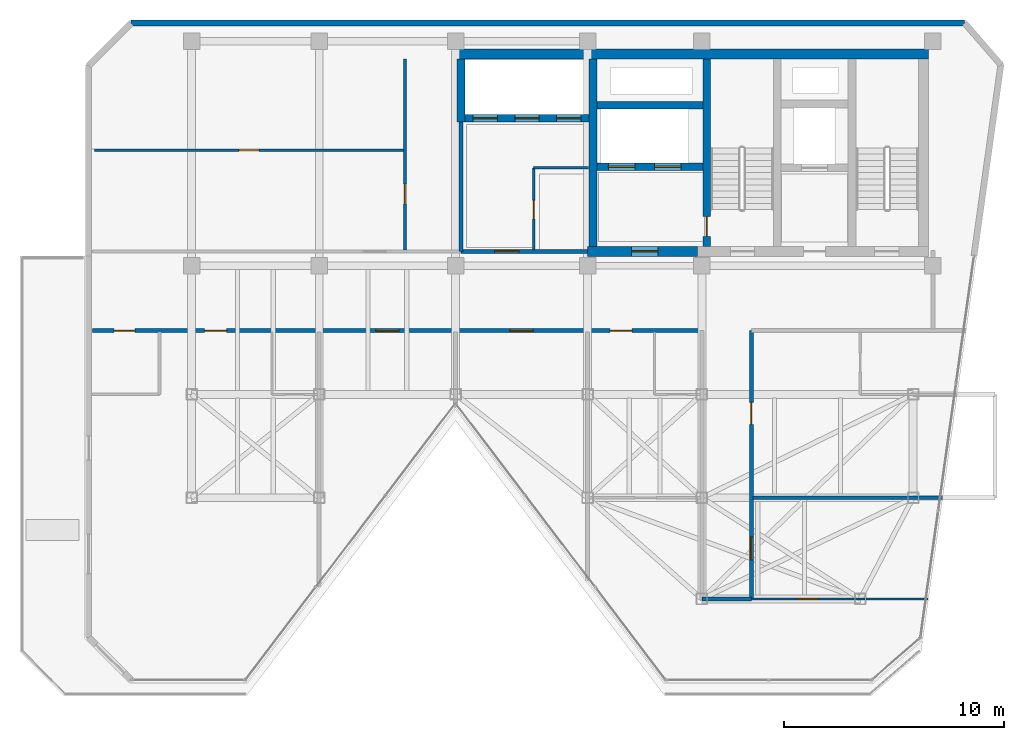
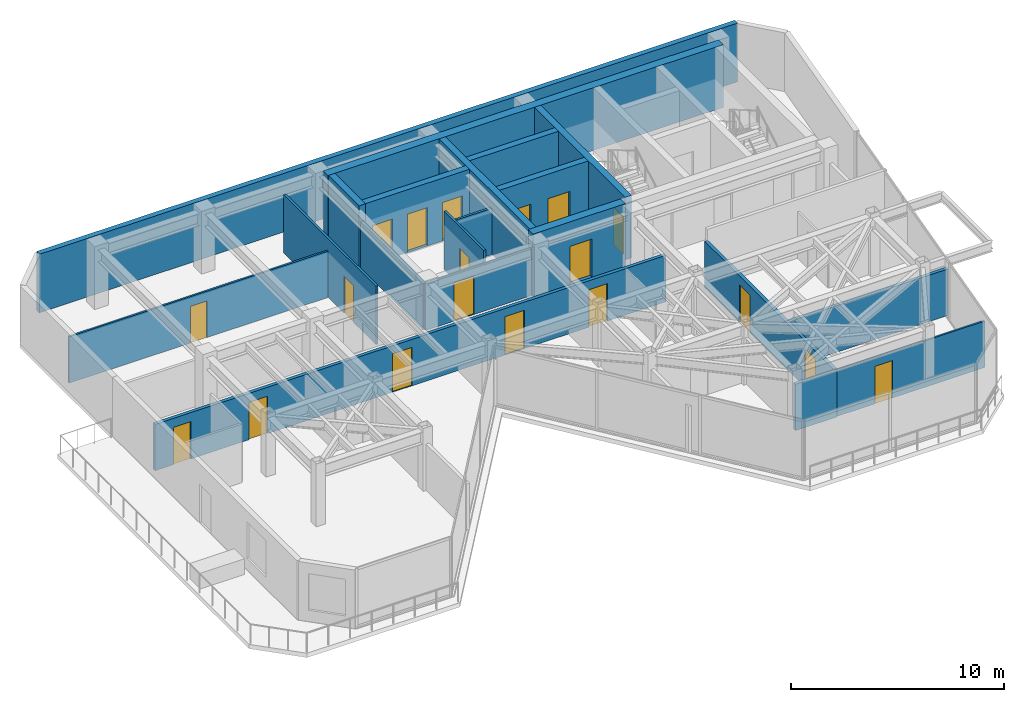
# One storey, part 14 of 17: 20 walls, 19 doors, 19 openings.
"""IFC4 building model written with IfcOpenShell, lengths in metres."""

from ifc_helpers import new_model, si_unit, direction, frame, frame_2d, origin, place, context, subcontext, project, spatial, rectangle, extrude, material, layer, layer_set, type_object, element, fill, save


model = new_model("IFC4")

# Units and contexts
model_context = context("Model", 3, precision=1e-05, world=origin(), true_north=direction((0.0, 1.0)))
body_context = subcontext(model_context, "Body", "Model", "MODEL_VIEW")
ifc_project = project(units=[si_unit("LENGTHUNIT", "METRE"), si_unit("AREAUNIT", "SQUARE_METRE"), si_unit("VOLUMEUNIT", "CUBIC_METRE"), si_unit("PLANEANGLEUNIT", "RADIAN"), si_unit("MASSUNIT", "GRAM", prefix="KILO")], contexts=[model_context])

# Site, building, storey
site_placement = place(None, origin())
site = spatial("IfcSite", under=ifc_project, at=site_placement, CompositionType="ELEMENT")
building_placement = place(site_placement, origin())
building = spatial("IfcBuilding", under=site, at=building_placement, Name="Kravanh Interchange Tower", CompositionType="ELEMENT")
storey_placement = place(building_placement, frame((0.0, 0.0, 263.39990234375)))
storey = spatial("IfcBuildingStorey", under=building, at=storey_placement, Name="L64", CompositionType="ELEMENT", Elevation=263.39990234375)

# Wall, opening, door
ifc_material_1 = material(Name="Double Acoustic Gypsum Board and Mineral Wool")
ifc_layer_1 = layer(ifc_material_1, 0.1201171875)
ifc_layer_set_1 = layer_set([ifc_layer_1], Name="Acoustic Office Drywall Partition 120mm")
wall_type_1 = type_object("IfcWallType", Name="Acoustic Office Drywall Partition 120mm", PredefinedType="PARTITIONING", material=ifc_layer_set_1)
wall_1_placement = place(storey_placement, frame((48.35009765625, 38.068115234375, 0.0), z_axis=(0.0, 0.0, 1.0), x_axis=(0.0, 1.0, 0.0)))
wall_1 = element("IfcWall", 1, at=wall_1_placement, inside=storey, type_object=wall_type_1, Name="L64 Interior Partition 2", PredefinedType="PARTITIONING", context=body_context, shape_type="SweptSolid", body=[
    extrude(rectangle(XDim=3.73193359375, YDim=0.1201171875, at=frame_2d((1.865966796875, 0.0))), origin(), (0.0, 0.0, 1.0), 3.360107421875),
])
opening_1_placement = place(wall_1_placement, frame((1.406982421875, 0.0, 0.0)))
opening_1 = element("IfcOpeningElement", 2, at=opening_1_placement, cuts=wall_1, Name="Opening D-85", PredefinedType="OPENING", context=body_context, shape_type="SweptSolid", body=[
    extrude(rectangle(XDim=0.85009765625, YDim=2.10009765625, at=frame_2d((0.425048828125, 1.050048828125))), frame((0.0, 0.070068359375, 0.0), z_axis=(0.0, -1.0, 0.0), x_axis=(1.0, 0.0, 0.0)), (0.0, 0.0, 1.0), 0.14013671875),
])
ifc_material_2 = material(Name="Engineered Teak Veneer Timber", Category="wood")
door_type_1 = type_object("IfcDoorType", Name="En-Suite Timber Door 850x2100", OperationType="NOTDEFINED", PredefinedType="DOOR", material=ifc_material_2)
door_1_placement = place(opening_1_placement, origin())
door_1 = element("IfcDoor", 3, at=door_1_placement, inside=storey, type_object=door_type_1, Name="L64 Core Electrical Closet Door", OperationType="SINGLE_SWING_RIGHT", OverallHeight=2.10009765625, OverallWidth=0.85009765625, PredefinedType="DOOR", context=body_context, shape_type="SweptSolid", body=[
    extrude(rectangle(XDim=0.85009765625, YDim=2.10009765625, at=frame_2d((0.425048828125, 1.050048828125))), frame((0.0, 0.02490234375, 0.0), z_axis=(0.0, -1.0, 0.0), x_axis=(1.0, 0.0, 0.0)), (0.0, 0.0, 1.0), 0.050048828125),
])
fill(opening_1, door_1)

# Wall
wall_2_placement = place(storey_placement, frame((48.35009765625, 41.800048828125, 0.0), z_axis=(0.0, 0.0, 1.0), x_axis=(1.0, 0.0, 0.0)))
element("IfcWall", 4, at=wall_2_placement, inside=storey, type_object=wall_type_1, Name="L64 Interior Partition 3", PredefinedType="PARTITIONING", context=body_context, shape_type="SweptSolid", body=[
    extrude(rectangle(XDim=2.5, YDim=0.1201171875, at=frame_2d((1.25, 0.0))), origin(), (0.0, 0.0, 1.0), 2.6640625),
])

# Wall, opening, door
wall_3_placement = place(storey_placement, frame((42.5, 38.068115234375, 0.0), z_axis=(0.0, 0.0, 1.0), x_axis=(0.0, 1.0, 0.0)))
wall_3 = element("IfcWall", 5, at=wall_3_placement, inside=storey, type_object=wall_type_1, Name="L64 Interior Partition 7", PredefinedType="PARTITIONING", context=body_context, shape_type="SweptSolid", body=[
    extrude(rectangle(XDim=8.681884765625, YDim=0.1201171875, at=frame_2d((4.3408203125, 0.0))), origin(), (0.0, 0.0, 1.0), 3.360107421875),
])
opening_2_placement = place(wall_3_placement, frame((2.09130859375, 0.0, 0.0)))
opening_2 = element("IfcOpeningElement", 6, at=opening_2_placement, cuts=wall_3, Name="Opening D-90", PredefinedType="OPENING", context=body_context, shape_type="SweptSolid", body=[
    extrude(rectangle(XDim=0.89990234375, YDim=2.10009765625, at=frame_2d((0.449951171875, 1.050048828125))), frame((0.0, 0.070068359375, 0.0), z_axis=(0.0, -1.0, 0.0), x_axis=(1.0, 0.0, 0.0)), (0.0, 0.0, 1.0), 0.14013671875),
])
ifc_material_3 = material(Name="Painted Solid-Core Timber", Category="wood")
door_type_2 = type_object("IfcDoorType", Name="Service Room Door 900x2100", OperationType="NOTDEFINED", PredefinedType="DOOR", material=ifc_material_3)
door_2_placement = place(opening_2_placement, origin())
door_2 = element("IfcDoor", 7, at=door_2_placement, inside=storey, type_object=door_type_2, Name="L64 Housekeeping Inner Door", OperationType="SINGLE_SWING_LEFT", OverallHeight=2.10009765625, OverallWidth=0.89990234375, PredefinedType="DOOR", context=body_context, shape_type="SweptSolid", body=[
    extrude(rectangle(XDim=0.89990234375, YDim=2.10009765625, at=frame_2d((0.449951171875, 1.050048828125))), frame((0.0, 0.02490234375, 0.0), z_axis=(0.0, -1.0, 0.0), x_axis=(1.0, 0.0, 0.0)), (0.0, 0.0, 1.0), 0.050048828125),
])
fill(opening_2, door_2)

ifc_material_4 = material(Name="Concrete C60/75", Category="concrete")
ifc_layer_2 = layer(ifc_material_4, 0.35009765625)
ifc_layer_set_2 = layer_set([ifc_layer_2], Name="Core Shear Wall Concrete C60/75 350mm")
wall_type_2 = type_object("IfcWallType", Name="Core Shear Wall Concrete C60/75 350mm", PredefinedType="SHEAR", material=ifc_layer_set_2)
wall_4_placement = place(storey_placement, frame((56.22509765625, 38.22509765625, 0.0), z_axis=(0.0, 0.0, 1.0), x_axis=(0.0, 1.0, 0.0)))
wall_4 = element("IfcWall", 8, at=wall_4_placement, inside=storey, type_object=wall_type_2, Name="L64 Stair ST2 West Shear Wall", PredefinedType="SHEAR", context=body_context, shape_type="SweptSolid", body=[
    extrude(rectangle(XDim=8.52490234375, YDim=0.35009765625, at=frame_2d((4.262451171875, 0.0))), origin(), (0.0, 0.0, 1.0), 3.60009765625),
])
opening_3_placement = place(wall_4_placement, frame((0.455078125, 0.0, 0.0)))
opening_3 = element("IfcOpeningElement", 9, at=opening_3_placement, cuts=wall_4, Name="Opening D-STAIR-90", PredefinedType="OPENING", context=body_context, shape_type="SweptSolid", body=[
    extrude(rectangle(XDim=0.89990234375, YDim=2.14990234375, at=frame_2d((0.449951171875, 1.074951171875))), frame((0.0, 0.18505859375, 0.0), z_axis=(0.0, -1.0, 0.0), x_axis=(1.0, 0.0, 0.0)), (0.0, 0.0, 1.0), 0.3701171875),
])
ifc_material_5 = material(Name="Structural Steel S355", Category="steel")
door_type_3 = type_object("IfcDoorType", Name="Fire-Rated Stair Lobby Door 900x2150", OperationType="NOTDEFINED", PredefinedType="DOOR", material=ifc_material_5)
door_3_placement = place(opening_3_placement, origin())
door_3 = element("IfcDoor", 10, at=door_3_placement, inside=storey, type_object=door_type_3, Name="L64 Firefighting Lobby to Stair ST2 Door", OperationType="SINGLE_SWING_LEFT", OverallHeight=2.14990234375, OverallWidth=0.89990234375, PredefinedType="DOOR", context=body_context, shape_type="SweptSolid", body=[
    extrude(rectangle(XDim=0.89990234375, YDim=2.14990234375, at=frame_2d((0.449951171875, 1.074951171875))), frame((0.0, 0.02490234375, 0.0), z_axis=(0.0, -1.0, 0.0), x_axis=(1.0, 0.0, 0.0)), (0.0, 0.0, 1.0), 0.050048828125),
])
fill(opening_3, door_3)

# Wall, openings, doors
wall_5_placement = place(storey_placement, frame((51.22509765625, 41.85009765625, 0.0), z_axis=(0.0, 0.0, 1.0), x_axis=(1.0, 0.0, 0.0)))
wall_5 = element("IfcWall", 11, at=wall_5_placement, inside=storey, type_object=wall_type_2, Name="L64 Fire Lift Shaft South Wall", PredefinedType="SHEAR", context=body_context, shape_type="SweptSolid", body=[
    extrude(rectangle(XDim=4.824951171875, YDim=0.35009765625, at=frame_2d((2.41259765625, 0.0))), origin(), (0.0, 0.0, 1.0), 3.60009765625),
])
opening_4_placement = place(wall_5_placement, frame((0.52490234375, 0.0, 0.0)))
opening_4 = element("IfcOpeningElement", 12, at=opening_4_placement, cuts=wall_5, Name="Opening LD02", PredefinedType="OPENING", context=body_context, shape_type="SweptSolid", body=[
    extrude(rectangle(XDim=1.199951171875, YDim=2.199951171875, at=frame_2d((0.60009765625, 1.10009765625))), frame((0.0, 0.18505859375, 0.0), z_axis=(0.0, -1.0, 0.0), x_axis=(1.0, 0.0, 0.0)), (0.0, 0.0, 1.0), 0.3701171875),
])
opening_5_placement = place(wall_5_placement, frame((2.625, 0.0, 0.0)))
opening_5 = element("IfcOpeningElement", 13, at=opening_5_placement, cuts=wall_5, Name="Opening LD02", PredefinedType="OPENING", context=body_context, shape_type="SweptSolid", body=[
    extrude(rectangle(XDim=1.199951171875, YDim=2.199951171875, at=frame_2d((0.60009765625, 1.10009765625))), frame((0.0, 0.18505859375, 0.0), z_axis=(0.0, -1.0, 0.0), x_axis=(1.0, 0.0, 0.0)), (0.0, 0.0, 1.0), 0.3701171875),
])
ifc_material_6 = material(Name="Stainless Steel 316", Category="steel")
door_type_4 = type_object("IfcDoorType", Name="Fire and Service Lift Sliding Landing Door 1200x2200", OperationType="DOUBLE_DOOR_SLIDING", PredefinedType="DOOR", material=ifc_material_6)
door_4_placement = place(opening_4_placement, origin())
door_4 = element("IfcDoor", 14, at=door_4_placement, inside=storey, type_object=door_type_4, Name="L64 Lift FSAE-01 Landing Door", OperationType="DOUBLE_DOOR_SLIDING", OverallHeight=2.199951171875, OverallWidth=1.199951171875, PredefinedType="DOOR", context=body_context, shape_type="SweptSolid", body=[
    extrude(rectangle(XDim=1.199951171875, YDim=2.199951171875, at=frame_2d((0.60009765625, 1.10009765625))), frame((0.0, 0.02490234375, 0.0), z_axis=(0.0, -1.0, 0.0), x_axis=(1.0, 0.0, 0.0)), (0.0, 0.0, 1.0), 0.050048828125),
])
fill(opening_4, door_4)
door_5_placement = place(opening_5_placement, origin())
door_5 = element("IfcDoor", 15, at=door_5_placement, inside=storey, type_object=door_type_4, Name="L64 Lift FSAE-02 Landing Door", OperationType="DOUBLE_DOOR_SLIDING", OverallHeight=2.199951171875, OverallWidth=1.199951171875, PredefinedType="DOOR", context=body_context, shape_type="SweptSolid", body=[
    extrude(rectangle(XDim=1.199951171875, YDim=2.199951171875, at=frame_2d((0.60009765625, 1.10009765625))), frame((0.0, 0.02490234375, 0.0), z_axis=(0.0, -1.0, 0.0), x_axis=(1.0, 0.0, 0.0)), (0.0, 0.0, 1.0), 0.050048828125),
])
fill(opening_5, door_5)

# Walls
wall_6_placement = place(storey_placement, frame((51.22509765625, 44.64990234375, 0.0), z_axis=(0.0, 0.0, 1.0), x_axis=(1.0, 0.0, 0.0)))
element("IfcWall", 16, at=wall_6_placement, inside=storey, type_object=wall_type_2, Name="L64 Fire Lift Shaft North Wall", PredefinedType="SHEAR", context=body_context, shape_type="SweptSolid", body=[
    extrude(rectangle(XDim=4.824951171875, YDim=0.35009765625, at=frame_2d((2.41259765625, 0.0))), origin(), (0.0, 0.0, 1.0), 3.60009765625),
])
wall_7_placement = place(storey_placement, frame((51.050048828125, 38.22509765625, 0.0), z_axis=(0.0, 0.0, 1.0), x_axis=(0.0, 1.0, 0.0)))
element("IfcWall", 17, at=wall_7_placement, inside=storey, type_object=wall_type_2, Name="L64 Firefighting Lobby West Wall", PredefinedType="SHEAR", context=body_context, shape_type="SweptSolid", body=[
    extrude(rectangle(XDim=8.52490234375, YDim=0.35009765625, at=frame_2d((4.262451171875, 0.0))), origin(), (0.0, 0.0, 1.0), 3.60009765625),
])

# Wall, openings, doors
wall_8_placement = place(storey_placement, frame((45.22509765625, 44.050048828125, 0.0), z_axis=(0.0, 0.0, 1.0), x_axis=(1.0, 0.0, 0.0)))
wall_8 = element("IfcWall", 18, at=wall_8_placement, inside=storey, type_object=wall_type_2, Name="L64 High-Rise Lift Shaft South Wall", PredefinedType="SHEAR", context=body_context, shape_type="SweptSolid", body=[
    extrude(rectangle(XDim=5.64990234375, YDim=0.35009765625, at=frame_2d((2.824951171875, 0.0))), origin(), (0.0, 0.0, 1.0), 3.60009765625),
])
opening_6_placement = place(wall_8_placement, frame((0.375, 0.0, 0.0)))
opening_6 = element("IfcOpeningElement", 19, at=opening_6_placement, cuts=wall_8, Name="Opening LD01", PredefinedType="OPENING", context=body_context, shape_type="SweptSolid", body=[
    extrude(rectangle(XDim=1.10009765625, YDim=2.199951171875, at=frame_2d((0.550048828125, 1.10009765625))), frame((0.0, 0.18505859375, 0.0), z_axis=(0.0, -1.0, 0.0), x_axis=(1.0, 0.0, 0.0)), (0.0, 0.0, 1.0), 0.3701171875),
])
opening_7_placement = place(wall_8_placement, frame((2.27490234375, 0.0, 0.0)))
opening_7 = element("IfcOpeningElement", 20, at=opening_7_placement, cuts=wall_8, Name="Opening LD01", PredefinedType="OPENING", context=body_context, shape_type="SweptSolid", body=[
    extrude(rectangle(XDim=1.10009765625, YDim=2.199951171875, at=frame_2d((0.550048828125, 1.10009765625))), frame((0.0, 0.18505859375, 0.0), z_axis=(0.0, -1.0, 0.0), x_axis=(1.0, 0.0, 0.0)), (0.0, 0.0, 1.0), 0.3701171875),
])
opening_8_placement = place(wall_8_placement, frame((4.175048828125, 0.0, 0.0)))
opening_8 = element("IfcOpeningElement", 21, at=opening_8_placement, cuts=wall_8, Name="Opening LD01", PredefinedType="OPENING", context=body_context, shape_type="SweptSolid", body=[
    extrude(rectangle(XDim=1.10009765625, YDim=2.199951171875, at=frame_2d((0.550048828125, 1.10009765625))), frame((0.0, 0.18505859375, 0.0), z_axis=(0.0, -1.0, 0.0), x_axis=(1.0, 0.0, 0.0)), (0.0, 0.0, 1.0), 0.3701171875),
])
ifc_material_7 = material(Name="Stainless Steel 304", Category="steel")
door_type_5 = type_object("IfcDoorType", Name="Passenger Lift Sliding Landing Door 1100x2200", OperationType="DOUBLE_DOOR_SLIDING", PredefinedType="DOOR", material=ifc_material_7)
door_6_placement = place(opening_6_placement, origin())
door_6 = element("IfcDoor", 22, at=door_6_placement, inside=storey, type_object=door_type_5, Name="L64 Lift LP-H1 Landing Door", OperationType="DOUBLE_DOOR_SLIDING", OverallHeight=2.199951171875, OverallWidth=1.10009765625, PredefinedType="DOOR", context=body_context, shape_type="SweptSolid", body=[
    extrude(rectangle(XDim=1.10009765625, YDim=2.199951171875, at=frame_2d((0.550048828125, 1.10009765625))), frame((0.0, 0.02490234375, 0.0), z_axis=(0.0, -1.0, 0.0), x_axis=(1.0, 0.0, 0.0)), (0.0, 0.0, 1.0), 0.050048828125),
])
fill(opening_6, door_6)
door_7_placement = place(opening_7_placement, origin())
door_7 = element("IfcDoor", 23, at=door_7_placement, inside=storey, type_object=door_type_5, Name="L64 Lift LP-H2 Landing Door", OperationType="DOUBLE_DOOR_SLIDING", OverallHeight=2.199951171875, OverallWidth=1.10009765625, PredefinedType="DOOR", context=body_context, shape_type="SweptSolid", body=[
    extrude(rectangle(XDim=1.10009765625, YDim=2.199951171875, at=frame_2d((0.550048828125, 1.10009765625))), frame((0.0, 0.02490234375, 0.0), z_axis=(0.0, -1.0, 0.0), x_axis=(1.0, 0.0, 0.0)), (0.0, 0.0, 1.0), 0.050048828125),
])
fill(opening_7, door_7)
door_8_placement = place(opening_8_placement, origin())
door_8 = element("IfcDoor", 24, at=door_8_placement, inside=storey, type_object=door_type_5, Name="L64 Lift LP-H3 Landing Door", OperationType="DOUBLE_DOOR_SLIDING", OverallHeight=2.199951171875, OverallWidth=1.10009765625, PredefinedType="DOOR", context=body_context, shape_type="SweptSolid", body=[
    extrude(rectangle(XDim=1.10009765625, YDim=2.199951171875, at=frame_2d((0.550048828125, 1.10009765625))), frame((0.0, 0.02490234375, 0.0), z_axis=(0.0, -1.0, 0.0), x_axis=(1.0, 0.0, 0.0)), (0.0, 0.0, 1.0), 0.050048828125),
])
fill(opening_8, door_8)

# Walls
wall_9_placement = place(storey_placement, frame((45.050048828125, 43.875, 0.0), z_axis=(0.0, 0.0, 1.0), x_axis=(0.0, 1.0, 0.0)))
element("IfcWall", 25, at=wall_9_placement, inside=storey, type_object=wall_type_2, Name="L64 High-Rise Lift Shaft West Wall", PredefinedType="SHEAR", context=body_context, shape_type="SweptSolid", body=[
    extrude(rectangle(XDim=2.875, YDim=0.35009765625, at=frame_2d((1.4375, 0.0))), origin(), (0.0, 0.0, 1.0), 3.60009765625),
])
ifc_material_8 = material(Name="Concrete C60/75", Category="concrete")
ifc_layer_3 = layer(ifc_material_8, 0.449951171875)
ifc_layer_set_3 = layer_set([ifc_layer_3], Name="Core Shear Wall Concrete C60/75 450mm")
wall_type_3 = type_object("IfcWallType", Name="Core Shear Wall Concrete C60/75 450mm", PredefinedType="SHEAR", material=ifc_layer_set_3)
wall_10_placement = place(storey_placement, frame((44.85009765625, 46.97509765625, 0.0), z_axis=(0.0, 0.0, 1.0), x_axis=(1.0, 0.0, 0.0)))
element("IfcWall", 26, at=wall_10_placement, inside=storey, type_object=wall_type_3, Name="L64 North Core Shear Wall", PredefinedType="SHEAR", context=body_context, shape_type="SweptSolid", body=[
    extrude(rectangle(XDim=21.449951171875, YDim=0.449951171875, at=frame_2d((10.72509765625, 0.0))), origin(), (0.0, 0.0, 1.0), 3.60009765625),
])

# Wall, opening, door
wall_11_placement = place(storey_placement, frame((50.800048828125, 38.0, 0.0), z_axis=(0.0, 0.0, 1.0), x_axis=(1.0, 0.0, 0.0)))
wall_11 = element("IfcWall", 27, at=wall_11_placement, inside=storey, type_object=wall_type_3, Name="L64 Firefighting Lobby South Shear Wall", PredefinedType="SHEAR", context=body_context, shape_type="SweptSolid", body=[
    extrude(rectangle(XDim=5.0, YDim=0.449951171875, at=frame_2d((2.5, 0.0))), origin(), (0.0, 0.0, 1.0), 3.60009765625),
])
opening_9_placement = place(wall_11_placement, frame((2.0, 0.0, 0.0)))
opening_9 = element("IfcOpeningElement", 28, at=opening_9_placement, cuts=wall_11, Name="Opening D-FSAE-120", PredefinedType="OPENING", context=body_context, shape_type="SweptSolid", body=[
    extrude(rectangle(XDim=1.199951171875, YDim=2.199951171875, at=frame_2d((0.60009765625, 1.10009765625))), frame((0.0, 0.23486328125, 0.0), z_axis=(0.0, -1.0, 0.0), x_axis=(1.0, 0.0, 0.0)), (0.0, 0.0, 1.0), 0.469970703125),
])
ifc_material_9 = material(Name="Structural Steel S355", Category="steel")
door_type_6 = type_object("IfcDoorType", Name="Fire-Rated Refuge and FSAE Door 1200x2200", OperationType="NOTDEFINED", PredefinedType="DOOR", material=ifc_material_9)
door_9_placement = place(opening_9_placement, origin())
door_9 = element("IfcDoor", 29, at=door_9_placement, inside=storey, type_object=door_type_6, Name="L64 Firefighting Lobby Corridor Door", OperationType="SINGLE_SWING_RIGHT", OverallHeight=2.199951171875, OverallWidth=1.199951171875, PredefinedType="DOOR", context=body_context, shape_type="SweptSolid", body=[
    extrude(rectangle(XDim=1.199951171875, YDim=2.199951171875, at=frame_2d((0.60009765625, 1.10009765625))), frame((0.0, 0.02490234375, 0.0), z_axis=(0.0, -1.0, 0.0), x_axis=(1.0, 0.0, 0.0)), (0.0, 0.0, 1.0), 0.050048828125),
])
fill(opening_9, door_9)

ifc_material_10 = material(Name="Moisture-Resistant Gypsum Board and Mineral Wool")
ifc_layer_4 = layer(ifc_material_10, 0.10009765625)
ifc_layer_set_4 = layer_set([ifc_layer_4], Name="En-Suite Moisture-Resistant Partition 100mm")
wall_type_4 = type_object("IfcWallType", Name="En-Suite Moisture-Resistant Partition 100mm", PredefinedType="PARTITIONING", material=ifc_layer_set_4)
wall_12_placement = place(storey_placement, frame((28.3779296875, 42.60009765625, 0.0), z_axis=(0.0, 0.0, 1.0), x_axis=(1.0, 0.0, 0.0)))
wall_12 = element("IfcWall", 30, at=wall_12_placement, inside=storey, type_object=wall_type_4, Name="L64 Interior Partition 8", PredefinedType="PARTITIONING", context=body_context, shape_type="SweptSolid", body=[
    extrude(rectangle(XDim=14.053955078125, YDim=0.10009765625, at=frame_2d((7.02685546875, 0.0))), origin(), (0.0, 0.0, 1.0), 2.6640625),
])
opening_10_placement = place(wall_12_placement, frame((6.576904296875, 0.0, 0.0)))
opening_10 = element("IfcOpeningElement", 31, at=opening_10_placement, cuts=wall_12, Name="Opening D-90", PredefinedType="OPENING", context=body_context, shape_type="SweptSolid", body=[
    extrude(rectangle(XDim=0.89990234375, YDim=2.10009765625, at=frame_2d((0.449951171875, 1.050048828125))), frame((0.0, 0.06005859375, 0.0), z_axis=(0.0, -1.0, 0.0), x_axis=(1.0, 0.0, 0.0)), (0.0, 0.0, 1.0), 0.1201171875),
])
door_10_placement = place(opening_10_placement, origin())
door_10 = element("IfcDoor", 32, at=door_10_placement, inside=storey, type_object=door_type_2, Name="L64 Quiet Reading Alcove Inner Door", OperationType="SINGLE_SWING_RIGHT", OverallHeight=2.10009765625, OverallWidth=0.89990234375, PredefinedType="DOOR", context=body_context, shape_type="SweptSolid", body=[
    extrude(rectangle(XDim=0.89990234375, YDim=2.10009765625, at=frame_2d((0.449951171875, 1.050048828125))), frame((0.0, 0.02490234375, 0.0), z_axis=(0.0, -1.0, 0.0), x_axis=(1.0, 0.0, 0.0)), (0.0, 0.0, 1.0), 0.050048828125),
])
fill(opening_10, door_10)

wall_13_placement = place(storey_placement, frame((58.25, 22.199951171875, 0.0), z_axis=(0.0, 0.0, 1.0), x_axis=(1.0, 0.0, 0.0)))
wall_13 = element("IfcWall", 33, at=wall_13_placement, inside=storey, type_object=wall_type_4, Name="L64 Interior Partition 18", PredefinedType="PARTITIONING", context=body_context, shape_type="SweptSolid", body=[
    extrude(rectangle(XDim=8.038818359375, YDim=0.10009765625, at=frame_2d((4.01953125, 0.0))), origin(), (0.0, 0.0, 1.0), 2.6640625),
])
opening_11_placement = place(wall_13_placement, frame((2.074951171875, 0.0, 0.0)))
opening_11 = element("IfcOpeningElement", 34, at=opening_11_placement, cuts=wall_13, Name="Opening D-95", PredefinedType="OPENING", context=body_context, shape_type="SweptSolid", body=[
    extrude(rectangle(XDim=0.949951171875, YDim=2.14990234375, at=frame_2d((0.47509765625, 1.074951171875))), frame((0.0, 0.06005859375, 0.0), z_axis=(0.0, -1.0, 0.0), x_axis=(1.0, 0.0, 0.0)), (0.0, 0.0, 1.0), 0.1201171875),
])
ifc_material_11 = material(Name="Laminate Solid-Core Timber", Category="wood")
door_type_7 = type_object("IfcDoorType", Name="Accessible Restroom Door 950x2150", OperationType="NOTDEFINED", PredefinedType="DOOR", material=ifc_material_11)
door_11_placement = place(opening_11_placement, origin())
door_11 = element("IfcDoor", 35, at=door_11_placement, inside=storey, type_object=door_type_7, Name="L64 SE Sunroom Inner Door", OperationType="SINGLE_SWING_RIGHT", OverallHeight=2.14990234375, OverallWidth=0.949951171875, PredefinedType="DOOR", context=body_context, shape_type="SweptSolid", body=[
    extrude(rectangle(XDim=0.949951171875, YDim=2.14990234375, at=frame_2d((0.47509765625, 1.074951171875))), frame((0.0, 0.02490234375, 0.0), z_axis=(0.0, -1.0, 0.0), x_axis=(1.0, 0.0, 0.0)), (0.0, 0.0, 1.0), 0.050048828125),
])
fill(opening_11, door_11)

# Wall
ifc_material_12 = material(Name="Insulated Precast Concrete C40/50 with Bronze Cladding", Category="concrete")
ifc_layer_5 = layer(ifc_material_12, 0.280029296875)
ifc_layer_set_5 = layer_set([ifc_layer_5], Name="Exterior Insulated Concrete C40/50 Bronze Spandrel Wall 280mm")
wall_type_5 = type_object("IfcWallType", Name="Exterior Insulated Concrete C40/50 Bronze Spandrel Wall 280mm", PredefinedType="STANDARD", material=ifc_layer_set_5)
wall_14_placement = place(storey_placement, frame((30.0498046875, 48.3798828125, 0.0), z_axis=(0.0, 0.0, 1.0), x_axis=(1.0, 0.0, 0.0)))
element("IfcWall", 36, at=wall_14_placement, inside=storey, type_object=wall_type_5, Name="L64 Exterior Wall 4", PredefinedType="STANDARD", context=body_context, shape_type="SweptSolid", body=[
    extrude(rectangle(XDim=37.8955078125, YDim=0.280029296875, at=frame_2d((18.94775390625, 0.0))), origin(), (0.0, 0.0, 1.0), 3.360107421875),
])

# Wall, opening, door
ifc_material_13 = material(Name="Autoclaved Aerated Concrete C30/37 Blockwork", Category="masonry")
ifc_layer_6 = layer(ifc_material_13, 0.179931640625)
ifc_layer_set_6 = layer_set([ifc_layer_6], Name="Fire-Rated Lobby and Corridor Wall Concrete C30/37 180mm")
wall_type_6 = type_object("IfcWallType", Name="Fire-Rated Lobby and Corridor Wall Concrete C30/37 180mm", PredefinedType="STANDARD", material=ifc_layer_set_6)
wall_15_placement = place(storey_placement, frame((45.050048828125, 38.0, 0.0), z_axis=(0.0, 0.0, 1.0), x_axis=(1.0, 0.0, 0.0)))
wall_15 = element("IfcWall", 37, at=wall_15_placement, inside=storey, type_object=wall_type_6, Name="L64 High-Rise Lift Lobby Wall 1", PredefinedType="STANDARD", context=body_context, shape_type="SweptSolid", body=[
    extrude(rectangle(XDim=5.75, YDim=0.179931640625, at=frame_2d((2.875, 0.0))), origin(), (0.0, 0.0, 1.0), 2.6640625),
])
opening_12_placement = place(wall_15_placement, frame((1.52490234375, 0.0, 0.0)))
opening_12 = element("IfcOpeningElement", 38, at=opening_12_placement, cuts=wall_15, Name="Opening D-SHAFT-110", PredefinedType="OPENING", context=body_context, shape_type="SweptSolid", body=[
    extrude(rectangle(XDim=1.10009765625, YDim=2.199951171875, at=frame_2d((0.550048828125, 1.10009765625))), frame((0.0, 0.10009765625, 0.0), z_axis=(0.0, -1.0, 0.0), x_axis=(1.0, 0.0, 0.0)), (0.0, 0.0, 1.0), 0.199951171875),
])
ifc_material_14 = material(Name="Fire-Rated Composite Timber Leaf", Category="wood")
door_type_8 = type_object("IfcDoorType", Name="Fire-Rated Core Support Door 1100x2200", OperationType="NOTDEFINED", PredefinedType="DOOR", material=ifc_material_14)
door_12_placement = place(opening_12_placement, origin())
door_12 = element("IfcDoor", 39, at=door_12_placement, inside=storey, type_object=door_type_8, Name="L64 High-Rise Lift Lobby Door", OperationType="SINGLE_SWING_LEFT", OverallHeight=2.199951171875, OverallWidth=1.10009765625, PredefinedType="DOOR", context=body_context, shape_type="SweptSolid", body=[
    extrude(rectangle(XDim=1.10009765625, YDim=2.199951171875, at=frame_2d((0.550048828125, 1.10009765625))), frame((0.0, 0.02490234375, 0.0), z_axis=(0.0, -1.0, 0.0), x_axis=(1.0, 0.0, 0.0)), (0.0, 0.0, 1.0), 0.050048828125),
])
fill(opening_12, door_12)

# Wall
wall_16_placement = place(storey_placement, frame((45.050048828125, 38.0, 0.0), z_axis=(0.0, 0.0, 1.0), x_axis=(0.0, 1.0, 0.0)))
element("IfcWall", 40, at=wall_16_placement, inside=storey, type_object=wall_type_6, Name="L64 Interior Partition 4", PredefinedType="STANDARD", context=body_context, shape_type="SweptSolid", body=[
    extrude(rectangle(XDim=5.875, YDim=0.179931640625, at=frame_2d((2.9375, 0.0))), origin(), (0.0, 0.0, 1.0), 2.6640625),
])

# Wall, openings, doors
wall_17_placement = place(storey_placement, frame((28.284912109375, 34.39990234375, 0.0), z_axis=(0.0, 0.0, 1.0), x_axis=(1.0, 0.0, 0.0)))
wall_17 = element("IfcWall", 41, at=wall_17_placement, inside=storey, type_object=wall_type_6, Name="L64 Interior Partition 9", PredefinedType="STANDARD", context=body_context, shape_type="SweptSolid", body=[
    extrude(rectangle(XDim=27.715087890625, YDim=0.179931640625, at=frame_2d((13.857421875, 0.0))), origin(), (0.0, 0.0, 1.0), 2.6640625),
])
opening_13_placement = place(wall_17_placement, frame((0.9892578125, 0.0, 0.0)))
opening_13 = element("IfcOpeningElement", 42, at=opening_13_placement, cuts=wall_17, Name="Opening D-95", PredefinedType="OPENING", context=body_context, shape_type="SweptSolid", body=[
    extrude(rectangle(XDim=0.949951171875, YDim=2.14990234375, at=frame_2d((0.47509765625, 1.074951171875))), frame((0.0, 0.10009765625, 0.0), z_axis=(0.0, -1.0, 0.0), x_axis=(1.0, 0.0, 0.0)), (0.0, 0.0, 1.0), 0.199951171875),
])
opening_14_placement = place(wall_17_placement, frame((5.110107421875, 0.0, 0.0)))
opening_14 = element("IfcOpeningElement", 43, at=opening_14_placement, cuts=wall_17, Name="Opening D-HOTEL-100", PredefinedType="OPENING", context=body_context, shape_type="SweptSolid", body=[
    extrude(rectangle(XDim=1.0, YDim=2.14990234375, at=frame_2d((0.5, 1.074951171875))), frame((0.0, 0.10009765625, 0.0), z_axis=(0.0, -1.0, 0.0), x_axis=(1.0, 0.0, 0.0)), (0.0, 0.0, 1.0), 0.199951171875),
])
opening_15_placement = place(wall_17_placement, frame((12.889892578125, 0.0, 0.0)))
opening_15 = element("IfcOpeningElement", 44, at=opening_15_placement, cuts=wall_17, Name="Opening D-105", PredefinedType="OPENING", context=body_context, shape_type="SweptSolid", body=[
    extrude(rectangle(XDim=1.050048828125, YDim=2.199951171875, at=frame_2d((0.52490234375, 1.10009765625))), frame((0.0, 0.10009765625, 0.0), z_axis=(0.0, -1.0, 0.0), x_axis=(1.0, 0.0, 0.0)), (0.0, 0.0, 1.0), 0.199951171875),
])
opening_16_placement = place(wall_17_placement, frame((18.989990234375, 0.0, 0.0)))
opening_16 = element("IfcOpeningElement", 45, at=opening_16_placement, cuts=wall_17, Name="Opening D-105", PredefinedType="OPENING", context=body_context, shape_type="SweptSolid", body=[
    extrude(rectangle(XDim=1.050048828125, YDim=2.199951171875, at=frame_2d((0.52490234375, 1.10009765625))), frame((0.0, 0.10009765625, 0.0), z_axis=(0.0, -1.0, 0.0), x_axis=(1.0, 0.0, 0.0)), (0.0, 0.0, 1.0), 0.199951171875),
])
opening_17_placement = place(wall_17_placement, frame((23.5400390625, 0.0, 0.0)))
opening_17 = element("IfcOpeningElement", 46, at=opening_17_placement, cuts=wall_17, Name="Opening D-HOTEL-100", PredefinedType="OPENING", context=body_context, shape_type="SweptSolid", body=[
    extrude(rectangle(XDim=1.0, YDim=2.14990234375, at=frame_2d((0.5, 1.074951171875))), frame((0.0, 0.10009765625, 0.0), z_axis=(0.0, -1.0, 0.0), x_axis=(1.0, 0.0, 0.0)), (0.0, 0.0, 1.0), 0.199951171875),
])
door_13_placement = place(opening_13_placement, origin())
door_13 = element("IfcDoor", 47, at=door_13_placement, inside=storey, type_object=door_type_7, Name="L64 Accessible WC Door", OperationType="SINGLE_SWING_RIGHT", OverallHeight=2.14990234375, OverallWidth=0.949951171875, PredefinedType="DOOR", context=body_context, shape_type="SweptSolid", body=[
    extrude(rectangle(XDim=0.949951171875, YDim=2.14990234375, at=frame_2d((0.47509765625, 1.074951171875))), frame((0.0, 0.02490234375, 0.0), z_axis=(0.0, -1.0, 0.0), x_axis=(1.0, 0.0, 0.0)), (0.0, 0.0, 1.0), 0.050048828125),
])
fill(opening_13, door_13)
ifc_material_15 = material(Name="Fire-Rated Solid Timber Leaf", Category="wood")
door_type_9 = type_object("IfcDoorType", Name="Fire-Rated Suite Entrance Door 1000x2150", OperationType="NOTDEFINED", PredefinedType="DOOR", material=ifc_material_15)
door_14_placement = place(opening_14_placement, origin())
door_14 = element("IfcDoor", 48, at=door_14_placement, inside=storey, type_object=door_type_9, Name="L64 Hotel Guest Room D1 Entrance Door", OperationType="SINGLE_SWING_LEFT", OverallHeight=2.14990234375, OverallWidth=1.0, PredefinedType="DOOR", context=body_context, shape_type="SweptSolid", body=[
    extrude(rectangle(XDim=1.0, YDim=2.14990234375, at=frame_2d((0.5, 1.074951171875))), frame((0.0, 0.02490234375, 0.0), z_axis=(0.0, -1.0, 0.0), x_axis=(1.0, 0.0, 0.0)), (0.0, 0.0, 1.0), 0.050048828125),
])
fill(opening_14, door_14)
door_15_placement = place(opening_17_placement, origin())
door_15 = element("IfcDoor", 49, at=door_15_placement, inside=storey, type_object=door_type_9, Name="L64 Hotel Guest Room D2 Entrance Door", OperationType="SINGLE_SWING_RIGHT", OverallHeight=2.14990234375, OverallWidth=1.0, PredefinedType="DOOR", context=body_context, shape_type="SweptSolid", body=[
    extrude(rectangle(XDim=1.0, YDim=2.14990234375, at=frame_2d((0.5, 1.074951171875))), frame((0.0, 0.02490234375, 0.0), z_axis=(0.0, -1.0, 0.0), x_axis=(1.0, 0.0, 0.0)), (0.0, 0.0, 1.0), 0.050048828125),
])
fill(opening_17, door_15)
ifc_material_16 = material(Name="Acoustic Glazed Oak and Aluminium", Category="aluminium")
door_type_10 = type_object("IfcDoorType", Name="Office Workplace Door 1050x2200", OperationType="NOTDEFINED", PredefinedType="DOOR", material=ifc_material_16)
door_16_placement = place(opening_15_placement, origin())
door_16 = element("IfcDoor", 50, at=door_16_placement, inside=storey, type_object=door_type_10, Name="L64 Yoga Wellness Lounge Door", OperationType="SINGLE_SWING_LEFT", OverallHeight=2.199951171875, OverallWidth=1.050048828125, PredefinedType="DOOR", context=body_context, shape_type="SweptSolid", body=[
    extrude(rectangle(XDim=1.050048828125, YDim=2.199951171875, at=frame_2d((0.52490234375, 1.10009765625))), frame((0.0, 0.02490234375, 0.0), z_axis=(0.0, -1.0, 0.0), x_axis=(1.0, 0.0, 0.0)), (0.0, 0.0, 1.0), 0.050048828125),
])
fill(opening_15, door_16)
door_17_placement = place(opening_16_placement, origin())
door_17 = element("IfcDoor", 51, at=door_17_placement, inside=storey, type_object=door_type_10, Name="L64 Quiet Library Study 1 Door", OperationType="SINGLE_SWING_RIGHT", OverallHeight=2.199951171875, OverallWidth=1.050048828125, PredefinedType="DOOR", context=body_context, shape_type="SweptSolid", body=[
    extrude(rectangle(XDim=1.050048828125, YDim=2.199951171875, at=frame_2d((0.52490234375, 1.10009765625))), frame((0.0, 0.02490234375, 0.0), z_axis=(0.0, -1.0, 0.0), x_axis=(1.0, 0.0, 0.0)), (0.0, 0.0, 1.0), 0.050048828125),
])
fill(opening_16, door_17)

wall_18_placement = place(storey_placement, frame((58.25, 22.199951171875, 0.0), z_axis=(0.0, 0.0, 1.0), x_axis=(0.0, 1.0, 0.0)))
wall_18 = element("IfcWall", 52, at=wall_18_placement, inside=storey, type_object=wall_type_6, Name="L64 Interior Partition 13", PredefinedType="STANDARD", context=body_context, shape_type="SweptSolid", body=[
    extrude(rectangle(XDim=12.199951171875, YDim=0.179931640625, at=frame_2d((6.10009765625, 0.0))), origin(), (0.0, 0.0, 1.0), 2.6640625),
])
opening_18_placement = place(wall_18_placement, frame((1.77490234375, 0.0, 0.0)))
opening_18 = element("IfcOpeningElement", 53, at=opening_18_placement, cuts=wall_18, Name="Opening D-105", PredefinedType="OPENING", context=body_context, shape_type="SweptSolid", body=[
    extrude(rectangle(XDim=1.050048828125, YDim=2.199951171875, at=frame_2d((0.52490234375, 1.10009765625))), frame((0.0, 0.10009765625, 0.0), z_axis=(0.0, -1.0, 0.0), x_axis=(1.0, 0.0, 0.0)), (0.0, 0.0, 1.0), 0.199951171875),
])
opening_19_placement = place(wall_18_placement, frame((7.93994140625, 0.0, 0.0)))
opening_19 = element("IfcOpeningElement", 54, at=opening_19_placement, cuts=wall_18, Name="Opening D-HOTEL-100", PredefinedType="OPENING", context=body_context, shape_type="SweptSolid", body=[
    extrude(rectangle(XDim=1.0, YDim=2.14990234375, at=frame_2d((0.5, 1.074951171875))), frame((0.0, 0.10009765625, 0.0), z_axis=(0.0, -1.0, 0.0), x_axis=(1.0, 0.0, 0.0)), (0.0, 0.0, 1.0), 0.199951171875),
])
door_18_placement = place(opening_19_placement, origin())
door_18 = element("IfcDoor", 55, at=door_18_placement, inside=storey, type_object=door_type_9, Name="L64 Hotel Guest Room East Entrance Door", OperationType="SINGLE_SWING_LEFT", OverallHeight=2.14990234375, OverallWidth=1.0, PredefinedType="DOOR", context=body_context, shape_type="SweptSolid", body=[
    extrude(rectangle(XDim=1.0, YDim=2.14990234375, at=frame_2d((0.5, 1.074951171875))), frame((0.0, 0.02490234375, 0.0), z_axis=(0.0, -1.0, 0.0), x_axis=(1.0, 0.0, 0.0)), (0.0, 0.0, 1.0), 0.050048828125),
])
fill(opening_19, door_18)
door_19_placement = place(opening_18_placement, origin())
door_19 = element("IfcDoor", 56, at=door_19_placement, inside=storey, type_object=door_type_10, Name="L64 East Sky Salon Lounge Door", OperationType="SINGLE_SWING_LEFT", OverallHeight=2.199951171875, OverallWidth=1.050048828125, PredefinedType="DOOR", context=body_context, shape_type="SweptSolid", body=[
    extrude(rectangle(XDim=1.050048828125, YDim=2.199951171875, at=frame_2d((0.52490234375, 1.10009765625))), frame((0.0, 0.02490234375, 0.0), z_axis=(0.0, -1.0, 0.0), x_axis=(1.0, 0.0, 0.0)), (0.0, 0.0, 1.0), 0.050048828125),
])
fill(opening_18, door_19)

# Walls
wall_19_placement = place(storey_placement, frame((56.0, 22.199951171875, 0.0), z_axis=(0.0, 0.0, 1.0), x_axis=(1.0, 0.0, 0.0)))
element("IfcWall", 57, at=wall_19_placement, inside=storey, type_object=wall_type_6, Name="L64 Interior Partition 14", PredefinedType="STANDARD", context=body_context, shape_type="SweptSolid", body=[
    extrude(rectangle(XDim=2.25, YDim=0.179931640625, at=frame_2d((1.125, 0.0))), origin(), (0.0, 0.0, 1.0), 2.6640625),
])
wall_20_placement = place(storey_placement, frame((58.318115234375, 26.800048828125, 0.0), z_axis=(0.0, 0.0, 1.0), x_axis=(1.0, 0.0, 0.0)))
element("IfcWall", 58, at=wall_20_placement, inside=storey, type_object=wall_type_6, Name="L64 Interior Partition 17", PredefinedType="STANDARD", context=body_context, shape_type="SweptSolid", body=[
    extrude(rectangle(XDim=8.6171875, YDim=0.179931640625, at=frame_2d((4.30859375, 0.0))), origin(), (0.0, 0.0, 1.0), 2.6640625),
])

save(model, "model.ifc")
